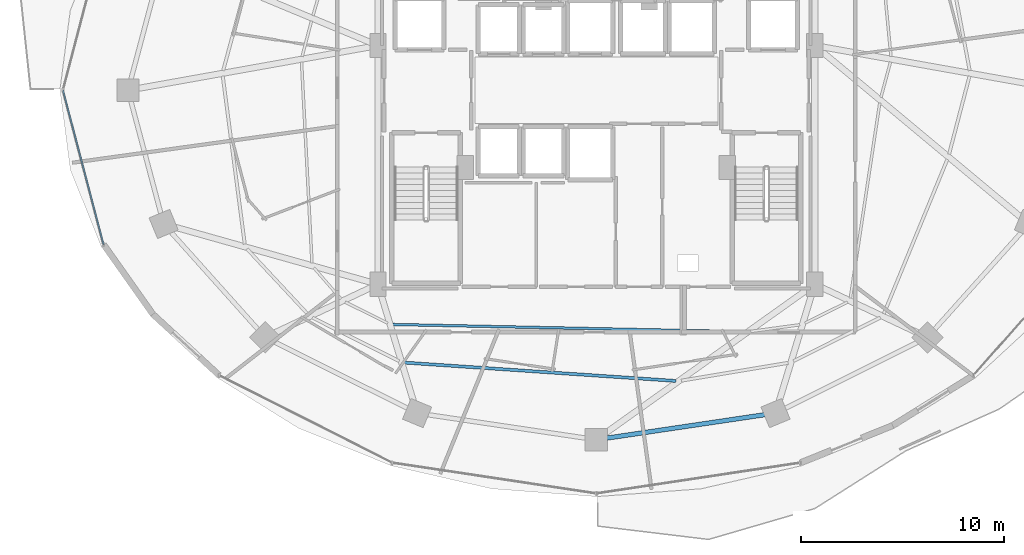
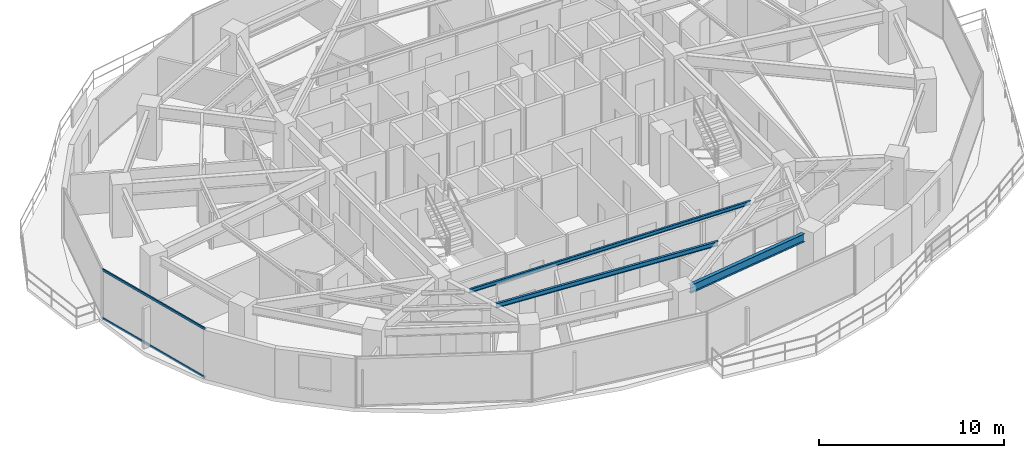
# One storey, part 5 of 30: 3 beams, 2 members, 1 element without a shape of its own.
"""IFC4 building model written with IfcOpenShell, lengths in metres."""

from ifc_helpers import new_model, si_unit, direction, frame, origin, origin_2d, place, context, subcontext, project, spatial, hollow_rectangle, i_section, extrude, material, material_profile, profile_set, type_object, element, aggregate, save


model = new_model("IFC4")

# Units and contexts
model_context = context("Model", 3, precision=1e-05, world=origin(), true_north=direction((0.0, 1.0)))
body_context = subcontext(model_context, "Body", "Model", "MODEL_VIEW")
ifc_project = project(units=[si_unit("LENGTHUNIT", "METRE"), si_unit("AREAUNIT", "SQUARE_METRE"), si_unit("VOLUMEUNIT", "CUBIC_METRE"), si_unit("PLANEANGLEUNIT", "RADIAN"), si_unit("MASSUNIT", "GRAM", prefix="KILO")], contexts=[model_context])

# Site, building, storey
site_placement = place(None, origin())
site = spatial("IfcSite", under=ifc_project, at=site_placement, CompositionType="ELEMENT")
building_placement = place(site_placement, origin())
building = spatial("IfcBuilding", under=site, at=building_placement, Name="Vorneva Point Tower", CompositionType="ELEMENT")
storey_placement = place(building_placement, frame((0.0, 0.0, 89.300048828125)))
storey = spatial("IfcBuildingStorey", under=building, at=storey_placement, Name="L23", CompositionType="ELEMENT", Elevation=89.300048828125)

# Beams
ifc_material_1 = material(Name="Steel S355", Category="steel")
ifc_material_profile_1 = material_profile(ifc_material_1, i_section(OverallWidth=0.1240234375, OverallDepth=0.248046875, WebThickness=0.0048828125, FlangeThickness=0.008056640625, at=origin_2d()), Name="25B1")
ifc_profile_set_1 = profile_set([ifc_material_profile_1], Name="Steel S355")
beam_type_1 = type_object("IfcBeamType", Name="BM-JST-25B1", PredefinedType="JOIST", material=ifc_profile_set_1)
beam_1_placement = place(storey_placement, frame((27.989013671875, 14.4716796875, 3.115966796875), z_axis=(0.99978665184, -0.020655527177, 0.0), x_axis=(0.020655527177, 0.99978665184, 0.0)))
element("IfcBeam", 1, at=beam_1_placement, inside=storey, type_object=beam_type_1, Name="L23 Secondary Floor Beam 2.12", PredefinedType="JOIST", context=body_context, shape_type="SweptSolid", body=[
    extrude(i_section(OverallWidth=0.1240234375, OverallDepth=0.248046875, WebThickness=0.0048828125, FlangeThickness=0.008056640625, at=origin_2d()), origin(), (0.0, 0.0, 1.0), 17.33935546875),
])
ifc_material_profile_2 = material_profile(ifc_material_1, i_section(OverallWidth=0.14892578125, OverallDepth=0.298095703125, WebThickness=0.005615234375, FlangeThickness=0.008056640625, at=origin_2d()), Name="30B1")
ifc_profile_set_2 = profile_set([ifc_material_profile_2], Name="Steel S355")
beam_type_2 = type_object("IfcBeamType", Name="BM-JST-30B1", PredefinedType="JOIST", material=ifc_profile_set_2)
beam_2_placement = place(storey_placement, frame((28.5576171875, 12.594970703125, 3.091064453125), z_axis=(0.997721682044, -0.067464399347, 0.0), x_axis=(0.067464399347, 0.997721682044, 0.0)))
element("IfcBeam", 2, at=beam_2_placement, inside=storey, type_object=beam_type_2, Name="L23 Secondary Floor Beam 1.12", PredefinedType="JOIST", context=body_context, shape_type="SweptSolid", body=[
    extrude(i_section(OverallWidth=0.14892578125, OverallDepth=0.298095703125, WebThickness=0.005615234375, FlangeThickness=0.008056640625, at=origin_2d()), origin(), (0.0, 0.0, 1.0), 13.385986328125),
])
ifc_material_profile_3 = material_profile(ifc_material_1, i_section(OverallWidth=0.219970703125, OverallDepth=0.54296875, WebThickness=0.009521484375, FlangeThickness=0.013427734375, at=origin_2d()), Name="55B1")
ifc_profile_set_3 = profile_set([ifc_material_profile_3], Name="Steel S355")
beam_type_3 = type_object("IfcBeamType", Name="BM-SPN-55B1", PredefinedType="SPANDREL", material=ifc_profile_set_3)
beam_3_placement = place(storey_placement, frame((38.529296875, 8.878662109375, 2.968505859375), z_axis=(0.989164507783, 0.146811363806, 0.0), x_axis=(-0.146811363806, 0.989164507783, 0.0)))
element("IfcBeam", 3, at=beam_3_placement, inside=storey, type_object=beam_type_3, Name="L23 Perimeter Spandrel Ring Beam 13", PredefinedType="SPANDREL", context=body_context, shape_type="SweptSolid", body=[
    extrude(i_section(OverallWidth=0.219970703125, OverallDepth=0.54296875, WebThickness=0.009521484375, FlangeThickness=0.013427734375, at=origin_2d()), origin(), (0.0, 0.0, 1.0), 7.847412109375),
])

# Curtain wall, members
ifc_material_2 = material(Name="Pale anodised aluminium", Category="aluminium")
curtain_wall_type = type_object("IfcCurtainWallType", Name="CW-HTL-SYS", PredefinedType="NOTDEFINED", material=ifc_material_2)
curtain_wall_placement = place(storey_placement, origin())
curtain_wall = element("IfcCurtainWall", 4, at=curtain_wall_placement, inside=storey, type_object=curtain_wall_type, Name="L23 Unitised Curtain Wall CW-L23-R03", PredefinedType="NOTDEFINED")
ifc_material_profile_4 = material_profile(ifc_material_2, hollow_rectangle(XDim=0.074951171875, YDim=0.14990234375, WallThickness=0.00390625, at=origin_2d()), Name="AL-TRN 150x75x4")
ifc_profile_set_4 = profile_set([ifc_material_profile_4], Name="Pale anodised aluminium")
member_type = type_object("IfcMemberType", Name="CW-TRN-150", PredefinedType="USERDEFINED", material=ifc_profile_set_4)
member_1_placement = place(storey_placement, frame((11.75, 26.0, 0.02001953125), z_axis=(0.254409150465, -0.967096677773, 0.0), x_axis=(0.967096677773, 0.254409150465, 0.0)))
member_1 = element("IfcMember", 5, at=member_1_placement, type_object=member_type, Name="CW-L23-R03 Transom 02.1", ObjectType="TRANSOM", PredefinedType="USERDEFINED", context=body_context, shape_type="SweptSolid", body=[
    extrude(hollow_rectangle(XDim=0.074951171875, YDim=0.14990234375, WallThickness=0.00390625, at=origin_2d()), origin(), (0.0, 0.0, 1.0), 7.854736328125),
])
member_2_placement = place(storey_placement, frame((11.75, 26.0, 3.219970703125), z_axis=(0.254409150465, -0.967096677773, 0.0), x_axis=(0.967096677773, 0.254409150465, 0.0)))
member_2 = element("IfcMember", 6, at=member_2_placement, type_object=member_type, Name="CW-L23-R03 Transom 02.2", ObjectType="TRANSOM", PredefinedType="USERDEFINED", context=body_context, shape_type="SweptSolid", body=[
    extrude(hollow_rectangle(XDim=0.074951171875, YDim=0.14990234375, WallThickness=0.00390625, at=origin_2d()), origin(), (0.0, 0.0, 1.0), 7.854736328125),
])
aggregate(curtain_wall, [member_1, member_2])

save(model, "model.ifc")
